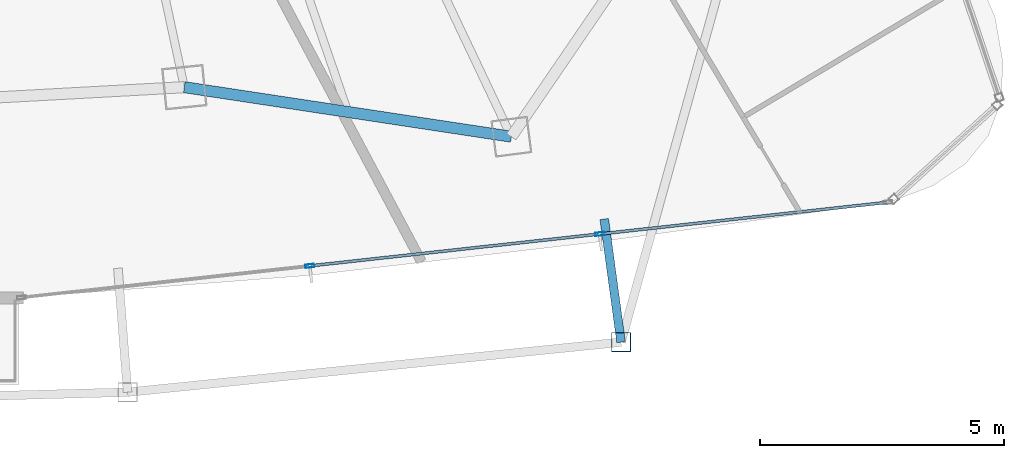
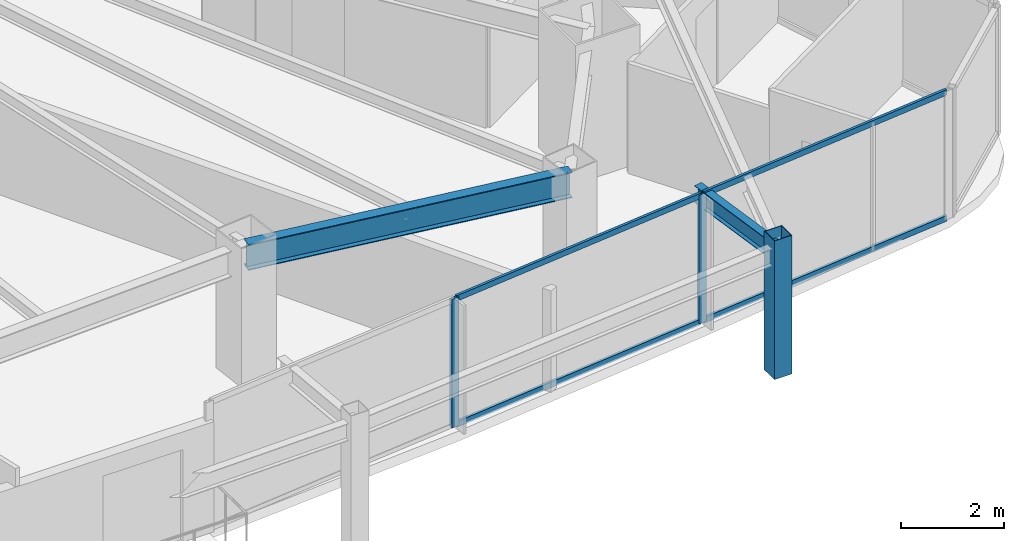
# One storey, part 12 of 33: 7 members, 2 beams, 1 element without a shape of its own.
"""IFC4 building model written with IfcOpenShell, lengths in metres."""

from ifc_helpers import new_model, si_unit, direction, frame, origin, origin_2d, place, context, subcontext, project, spatial, hollow_rectangle, i_section, extrude, material, layer, layer_set, material_profile, profile_set, type_object, element, aggregate, save


model = new_model("IFC4")

# Units and contexts
model_context = context("Model", 3, precision=1e-05, world=origin(), true_north=direction((0.0, 1.0)))
body_context = subcontext(model_context, "Body", "Model", "MODEL_VIEW")
ifc_project = project(units=[si_unit("LENGTHUNIT", "METRE"), si_unit("AREAUNIT", "SQUARE_METRE"), si_unit("VOLUMEUNIT", "CUBIC_METRE"), si_unit("PLANEANGLEUNIT", "RADIAN"), si_unit("MASSUNIT", "GRAM", prefix="KILO")], contexts=[model_context])

# Site, building, storey
site_placement = place(None, origin())
site = spatial("IfcSite", under=ifc_project, at=site_placement, CompositionType="ELEMENT")
building_placement = place(site_placement, origin())
building = spatial("IfcBuilding", under=site, at=building_placement, Name="Orvanel Arch Residences", CompositionType="ELEMENT")
storey_placement = place(building_placement, frame((0.0, 0.0, 116.60009765625)))
storey = spatial("IfcBuildingStorey", under=building, at=storey_placement, Name="L32", CompositionType="ELEMENT", Elevation=116.60009765625)

# Curtain wall, members
ifc_material_1 = material(Name="Bronze-anodised aluminium AA6063-T6", Category="aluminium")
ifc_layer = layer(ifc_material_1, 0.179931640625)
ifc_layer_set = layer_set([ifc_layer], Name="Bronze-anodised aluminium AA6063-T6")
curtain_wall_type = type_object("IfcCurtainWallType", Name="CW3-MID-SYS", PredefinedType="NOTDEFINED", material=ifc_layer_set)
curtain_wall_placement = place(storey_placement, origin())
curtain_wall = element("IfcCurtainWall", 1, at=curtain_wall_placement, inside=storey, type_object=curtain_wall_type, Name="L32 CW3-MID-SYS Unitised Curtain Wall", PredefinedType="NOTDEFINED")
ifc_material_profile_1 = material_profile(ifc_material_1, hollow_rectangle(XDim=0.070068359375, YDim=0.179931640625, WallThickness=0.00439453125, at=origin_2d()), Name="ALU180x70x4.5")
ifc_profile_set_1 = profile_set([ifc_material_profile_1], Name="Bronze-anodised aluminium AA6063-T6")
member_type_1 = type_object("IfcMemberType", Name="MUL-180x70", PredefinedType="MULLION", material=ifc_profile_set_1)
member_1_placement = place(storey_placement, frame((44.92431640625, 3.689453125, 0.0), z_axis=(0.0, 0.0, 1.0), x_axis=(-0.109397745116, 0.99399805501, 0.0)))
member_1 = element("IfcMember", 2, at=member_1_placement, type_object=member_type_1, Name="CW-S3 mullion 2", PredefinedType="MULLION", context=body_context, shape_type="SweptSolid", body=[
    extrude(hollow_rectangle(XDim=0.070068359375, YDim=0.179931640625, WallThickness=0.00439453125, at=origin_2d()), origin(), (0.0, 0.0, 1.0), 3.059814453125),
])
member_2_placement = place(storey_placement, frame((50.86962890625, 4.34375, 0.0), z_axis=(0.0, 0.0, 1.0), x_axis=(-0.109397745116, 0.99399805501, 0.0)))
member_2 = element("IfcMember", 3, at=member_2_placement, type_object=member_type_1, Name="CW-S3 mullion 3", PredefinedType="MULLION", context=body_context, shape_type="SweptSolid", body=[
    extrude(hollow_rectangle(XDim=0.070068359375, YDim=0.179931640625, WallThickness=0.00439453125, at=origin_2d()), origin(), (0.0, 0.0, 1.0), 3.059814453125),
])

# Beams
ifc_material_2 = material(Name="Structural steel AS/NZS 3679.1 Grade 300 (300 MPa)", Category="steel")
ifc_material_profile_2 = material_profile(ifc_material_2, i_section(OverallWidth=0.177978515625, OverallDepth=0.406005859375, WebThickness=0.0078125, FlangeThickness=0.0126953125, at=origin_2d()), Name="410UB59.7")
ifc_profile_set_2 = profile_set([ifc_material_profile_2], Name="Structural steel AS/NZS 3679.1 Grade 300 (300 MPa)")
beam_type_1 = type_object("IfcBeamType", Name="OB-410UB-EXT", PredefinedType="SPANDREL", material=ifc_profile_set_2)
beam_1_placement = place(storey_placement, frame((50.964111328125, 4.65087890625, 2.85693359375), z_axis=(0.135318332922, -0.99080217439, 0.0), x_axis=(0.99080217439, 0.135318332922, 0.0)))
element("IfcBeam", 4, at=beam_1_placement, inside=storey, type_object=beam_type_1, Name="L32 Outer Frame Radial Tie Beam 08", PredefinedType="SPANDREL", context=body_context, shape_type="SweptSolid", body=[
    extrude(i_section(OverallWidth=0.177978515625, OverallDepth=0.406005859375, WebThickness=0.0078125, FlangeThickness=0.0126953125, at=origin_2d()), origin(), (0.0, 0.0, 1.0), 2.54931640625),
])
ifc_material_profile_3 = material_profile(ifc_material_2, i_section(OverallWidth=0.22900390625, OverallDepth=0.612060546875, WebThickness=0.011962890625, FlangeThickness=0.01953125, at=origin_2d()), Name="610UB125")
ifc_profile_set_3 = profile_set([ifc_material_profile_3], Name="Structural steel AS/NZS 3679.1 Grade 300 (300 MPa)")
beam_type_2 = type_object("IfcBeamType", Name="SP-610UB", PredefinedType="SPANDREL", material=ifc_profile_set_3)
beam_2_placement = place(storey_placement, frame((42.35107421875, 7.35498046875, 2.75390625), z_axis=(0.988726323014, -0.149733958002, 0.0), x_axis=(0.149733958002, 0.988726323014, 0.0)))
element("IfcBeam", 5, at=beam_2_placement, inside=storey, type_object=beam_type_2, Name="L32 Perimeter Spandrel Beam 07", PredefinedType="SPANDREL", context=body_context, shape_type="SweptSolid", body=[
    extrude(i_section(OverallWidth=0.22900390625, OverallDepth=0.612060546875, WebThickness=0.011962890625, FlangeThickness=0.01953125, at=origin_2d()), origin(), (0.0, 0.0, 1.0), 6.784423828125),
])

# Member
ifc_material_3 = material(Name="Structural steel AS/NZS 1163 C450L0 (Grade 450)", Category="steel")
ifc_material_profile_4 = material_profile(ifc_material_3, hollow_rectangle(XDim=0.39990234375, YDim=0.39990234375, WallThickness=0.01611328125, at=origin_2d()), Name="SHS400x400x16")
ifc_profile_set_4 = profile_set([ifc_material_profile_4], Name="Structural steel AS/NZS 1163 C450L0 (Grade 450)")
member_type_2 = type_object("IfcMemberType", Name="ST-400SHS-EXT", PredefinedType="STRUT", material=ifc_profile_set_4)
member_3_placement = place(storey_placement, frame((51.30908203125, 2.125, 0.0), z_axis=(0.0, 0.0, 1.0), x_axis=(1.0, 0.0, 0.0)))
element("IfcMember", 6, at=member_3_placement, inside=storey, type_object=member_type_2, Name="L32 Outer Perimeter Frame Post 08", PredefinedType="STRUT", context=body_context, shape_type="SweptSolid", body=[
    extrude(hollow_rectangle(XDim=0.39990234375, YDim=0.39990234375, WallThickness=0.01611328125, at=origin_2d()), origin(), (0.0, 0.0, 1.0), 3.2998046875),
])

ifc_material_profile_5 = material_profile(ifc_material_1, hollow_rectangle(XDim=0.06005859375, YDim=0.135009765625, WallThickness=0.00390625, at=origin_2d()), Name="ALU135x60x4")
ifc_profile_set_5 = profile_set([ifc_material_profile_5], Name="Bronze-anodised aluminium AA6063-T6")
member_type_3 = type_object("IfcMemberType", Name="TRN-135x60", PredefinedType="USERDEFINED", material=ifc_profile_set_5)
member_4_placement = place(storey_placement, frame((44.959228515625, 3.693115234375, 0.02978515625), z_axis=(0.99399703693, 0.10940699509, 0.0), x_axis=(-0.10940699509, 0.99399703693, 0.0)))
member_4 = element("IfcMember", 7, at=member_4_placement, type_object=member_type_3, Name="CW-S3 transom 2.1", ObjectType="TRANSOM", PredefinedType="USERDEFINED", context=body_context, shape_type="SweptSolid", body=[
    extrude(hollow_rectangle(XDim=0.06005859375, YDim=0.135009765625, WallThickness=0.00390625, at=origin_2d()), origin(), (0.0, 0.0, 1.0), 5.9111328125),
])

member_5_placement = place(storey_placement, frame((44.959228515625, 3.693115234375, 3.02978515625), z_axis=(0.99399703693, 0.10940699509, 0.0), x_axis=(-0.10940699509, 0.99399703693, 0.0)))
member_5 = element("IfcMember", 8, at=member_5_placement, type_object=member_type_3, Name="CW-S3 transom 2.2", ObjectType="TRANSOM", PredefinedType="USERDEFINED", context=body_context, shape_type="SweptSolid", body=[
    extrude(hollow_rectangle(XDim=0.06005859375, YDim=0.135009765625, WallThickness=0.00390625, at=origin_2d()), origin(), (0.0, 0.0, 1.0), 5.9111328125),
])

member_6_placement = place(storey_placement, frame((50.904541015625, 4.347412109375, 0.02978515625), z_axis=(0.993998213072, 0.109396308937, 0.0), x_axis=(-0.109396308937, 0.993998213072, 0.0)))
member_6 = element("IfcMember", 9, at=member_6_placement, type_object=member_type_3, Name="CW-S3 transom 3.1", ObjectType="TRANSOM", PredefinedType="USERDEFINED", context=body_context, shape_type="SweptSolid", body=[
    extrude(hollow_rectangle(XDim=0.06005859375, YDim=0.135009765625, WallThickness=0.00390625, at=origin_2d()), origin(), (0.0, 0.0, 1.0), 5.8759765625),
])

member_7_placement = place(storey_placement, frame((50.904541015625, 4.347412109375, 3.02978515625), z_axis=(0.993998213072, 0.109396308937, 0.0), x_axis=(-0.109396308937, 0.993998213072, 0.0)))
member_7 = element("IfcMember", 10, at=member_7_placement, type_object=member_type_3, Name="CW-S3 transom 3.2", ObjectType="TRANSOM", PredefinedType="USERDEFINED", context=body_context, shape_type="SweptSolid", body=[
    extrude(hollow_rectangle(XDim=0.06005859375, YDim=0.135009765625, WallThickness=0.00390625, at=origin_2d()), origin(), (0.0, 0.0, 1.0), 5.8759765625),
])

aggregate(curtain_wall, [member_1, member_2, member_4, member_5, member_6, member_7])

save(model, "model.ifc")
